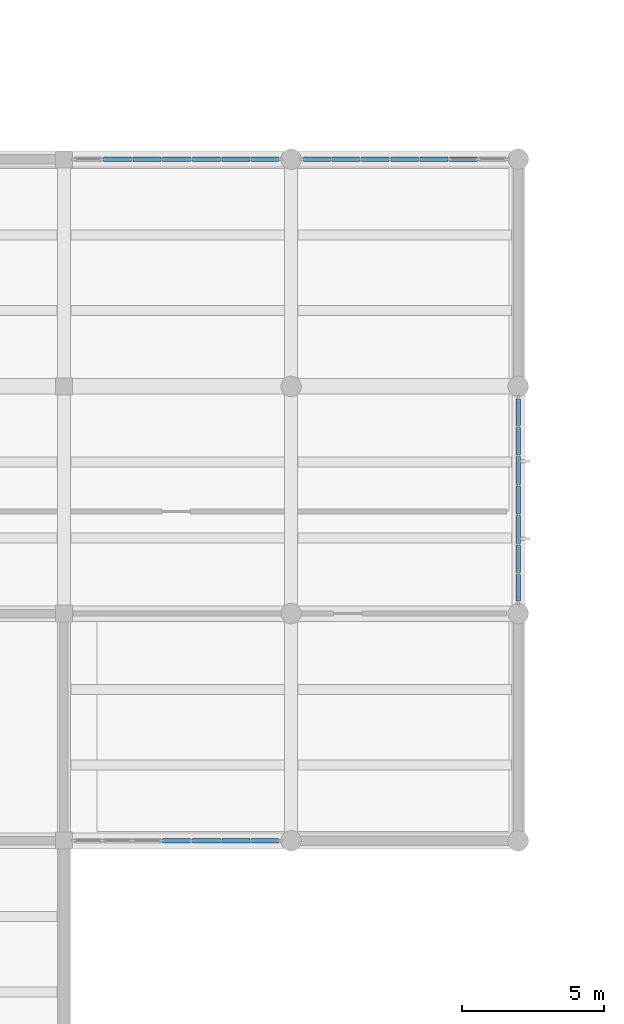
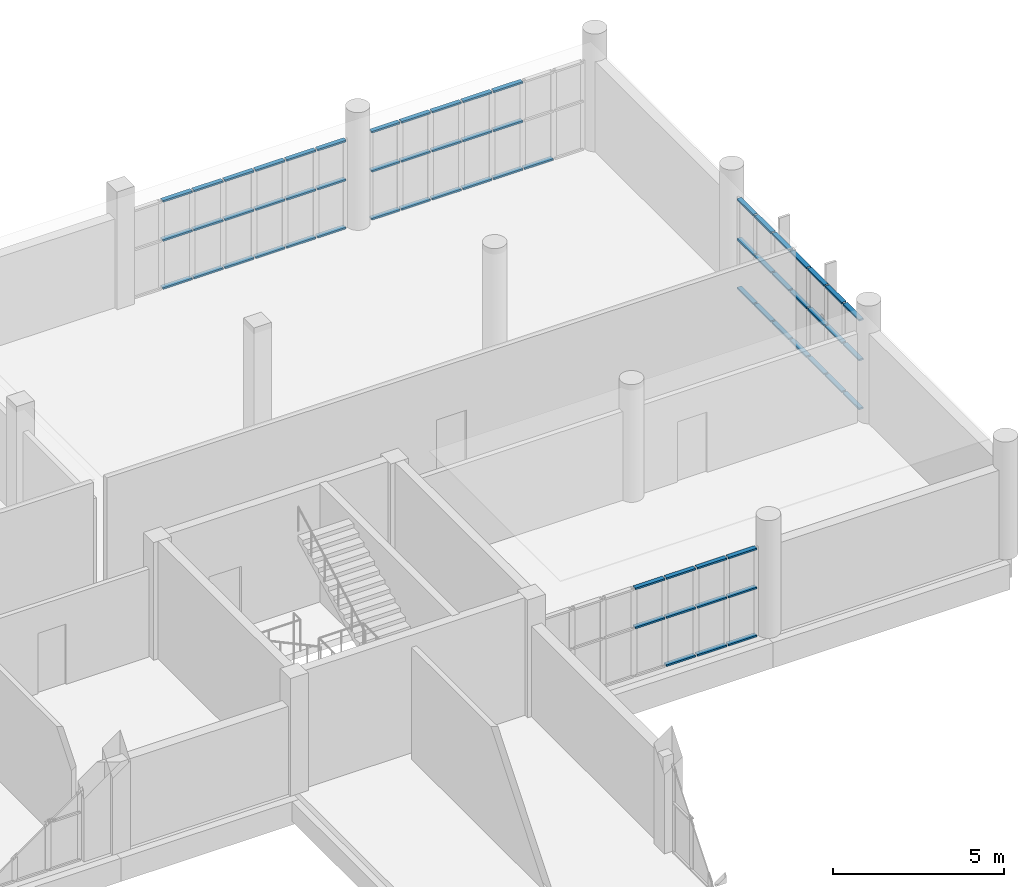
# One storey, part 42 of 85: 66 members, 4 elements without a shape of their own.
"""IFC4 building model written with IfcOpenShell, lengths in metres."""

from ifc_helpers import new_model, si_unit, direction, frame, origin, origin_2d, place, context, subcontext, project, spatial, rectangle, extrude, material, layer, layer_set, material_profile, profile_set, type_object, element, aggregate, save


model = new_model("IFC4")

# Units and contexts
model_context = context("Model", 3, precision=1e-05, world=origin(), true_north=direction((0.0, 1.0)))
body_context = subcontext(model_context, "Body", "Model", "MODEL_VIEW")
ifc_project = project(units=[si_unit("LENGTHUNIT", "METRE"), si_unit("AREAUNIT", "SQUARE_METRE"), si_unit("VOLUMEUNIT", "CUBIC_METRE"), si_unit("PLANEANGLEUNIT", "RADIAN"), si_unit("MASSUNIT", "GRAM", prefix="KILO")], contexts=[model_context])

# Site, building, storey
site_placement = place(None, origin())
site = spatial("IfcSite", under=ifc_project, at=site_placement, CompositionType="ELEMENT")
building_placement = place(site_placement, origin())
building = spatial("IfcBuilding", under=site, at=building_placement, Name="Solvane Community Centre", CompositionType="ELEMENT")
storey_placement = place(building_placement, frame((0.0, 0.0, 5.39990234375)))
storey = spatial("IfcBuildingStorey", under=building, at=storey_placement, Name="L01", CompositionType="ELEMENT", Elevation=5.39990234375)

# Curtain wall, members
ifc_material = material(Name="Anodised bronze aluminium AW-6063 T6", Category="aluminium")
ifc_layer_1 = layer(ifc_material, 0.18994140625)
ifc_layer_set_1 = layer_set([ifc_layer_1], Name="Anodised bronze aluminium AW-6063 T6")
curtain_wall_type_1 = type_object("IfcCurtainWallType", Name="Boulevard Bronze Vision Curtain Wall [73x32dm]", PredefinedType="NOTDEFINED", material=ifc_layer_set_1)
curtain_wall_1_placement = place(storey_placement, origin())
curtain_wall_1 = element("IfcCurtainWall", 1, at=curtain_wall_1_placement, inside=storey, type_object=curtain_wall_type_1, Name="Curtain Wall CW-L01-683_1100-092", PredefinedType="NOTDEFINED")
ifc_material_profile = material_profile(ifc_material, rectangle(XDim=0.14990234375, YDim=0.06005859375, at=origin_2d()), Name="CW-T 60x150")
ifc_profile_set = profile_set([ifc_material_profile], Name="Anodised bronze aluminium AW-6063 T6")
member_type = type_object("IfcMemberType", Name="Boulevard Transom 60x150", PredefinedType="USERDEFINED", material=ifc_profile_set)
member_1_placement = place(storey_placement, frame((69.389404296875, 110.0, 0.030029296875), z_axis=(1.0, 0.0, 0.0), x_axis=(0.0, 1.0, 0.0)))
member_1 = element("IfcMember", 2, at=member_1_placement, type_object=member_type, Name="CW02-73x32 transom 2.1", ObjectType="TRANSOM", PredefinedType="USERDEFINED", context=body_context, shape_type="SweptSolid", body=[
    extrude(rectangle(XDim=0.14990234375, YDim=0.06005859375, at=origin_2d()), origin(), (0.0, 0.0, 1.0), 0.984130859375),
])
member_2_placement = place(storey_placement, frame((69.389404296875, 110.0, 1.7412109375), z_axis=(1.0, 0.0, 0.0), x_axis=(0.0, 1.0, 0.0)))
member_2 = element("IfcMember", 3, at=member_2_placement, type_object=member_type, Name="CW02-73x32 transom 2.2", ObjectType="TRANSOM", PredefinedType="USERDEFINED", context=body_context, shape_type="SweptSolid", body=[
    extrude(rectangle(XDim=0.14990234375, YDim=0.06005859375, at=origin_2d()), origin(), (0.0, 0.0, 1.0), 0.984130859375),
])
member_3_placement = place(storey_placement, frame((69.389404296875, 110.0, 3.135009765625), z_axis=(1.0, 0.0, 0.0), x_axis=(0.0, 1.0, 0.0)))
member_3 = element("IfcMember", 4, at=member_3_placement, type_object=member_type, Name="CW02-73x32 transom 2.3", ObjectType="TRANSOM", PredefinedType="USERDEFINED", context=body_context, shape_type="SweptSolid", body=[
    extrude(rectangle(XDim=0.14990234375, YDim=0.06005859375, at=origin_2d()), origin(), (0.0, 0.0, 1.0), 0.984130859375),
])
member_4_placement = place(storey_placement, frame((70.43359375, 110.0, 0.030029296875), z_axis=(1.0, 0.0, 0.0), x_axis=(0.0, 1.0, 0.0)))
member_4 = element("IfcMember", 5, at=member_4_placement, type_object=member_type, Name="CW02-73x32 transom 3.1", ObjectType="TRANSOM", PredefinedType="USERDEFINED", context=body_context, shape_type="SweptSolid", body=[
    extrude(rectangle(XDim=0.14990234375, YDim=0.06005859375, at=origin_2d()), origin(), (0.0, 0.0, 1.0), 0.984375),
])
member_5_placement = place(storey_placement, frame((70.43359375, 110.0, 1.7412109375), z_axis=(1.0, 0.0, 0.0), x_axis=(0.0, 1.0, 0.0)))
member_5 = element("IfcMember", 6, at=member_5_placement, type_object=member_type, Name="CW02-73x32 transom 3.2", ObjectType="TRANSOM", PredefinedType="USERDEFINED", context=body_context, shape_type="SweptSolid", body=[
    extrude(rectangle(XDim=0.14990234375, YDim=0.06005859375, at=origin_2d()), origin(), (0.0, 0.0, 1.0), 0.984375),
])
member_6_placement = place(storey_placement, frame((70.43359375, 110.0, 3.135009765625), z_axis=(1.0, 0.0, 0.0), x_axis=(0.0, 1.0, 0.0)))
member_6 = element("IfcMember", 7, at=member_6_placement, type_object=member_type, Name="CW02-73x32 transom 3.3", ObjectType="TRANSOM", PredefinedType="USERDEFINED", context=body_context, shape_type="SweptSolid", body=[
    extrude(rectangle(XDim=0.14990234375, YDim=0.06005859375, at=origin_2d()), origin(), (0.0, 0.0, 1.0), 0.984375),
])
member_7_placement = place(storey_placement, frame((71.477783203125, 110.0, 0.030029296875), z_axis=(1.0, 0.0, 0.0), x_axis=(0.0, 1.0, 0.0)))
member_7 = element("IfcMember", 8, at=member_7_placement, type_object=member_type, Name="CW02-73x32 transom 4.1", ObjectType="TRANSOM", PredefinedType="USERDEFINED", context=body_context, shape_type="SweptSolid", body=[
    extrude(rectangle(XDim=0.14990234375, YDim=0.06005859375, at=origin_2d()), origin(), (0.0, 0.0, 1.0), 0.984375),
])
member_8_placement = place(storey_placement, frame((71.477783203125, 110.0, 1.7412109375), z_axis=(1.0, 0.0, 0.0), x_axis=(0.0, 1.0, 0.0)))
member_8 = element("IfcMember", 9, at=member_8_placement, type_object=member_type, Name="CW02-73x32 transom 4.2", ObjectType="TRANSOM", PredefinedType="USERDEFINED", context=body_context, shape_type="SweptSolid", body=[
    extrude(rectangle(XDim=0.14990234375, YDim=0.06005859375, at=origin_2d()), origin(), (0.0, 0.0, 1.0), 0.984375),
])
member_9_placement = place(storey_placement, frame((71.477783203125, 110.0, 3.135009765625), z_axis=(1.0, 0.0, 0.0), x_axis=(0.0, 1.0, 0.0)))
member_9 = element("IfcMember", 10, at=member_9_placement, type_object=member_type, Name="CW02-73x32 transom 4.3", ObjectType="TRANSOM", PredefinedType="USERDEFINED", context=body_context, shape_type="SweptSolid", body=[
    extrude(rectangle(XDim=0.14990234375, YDim=0.06005859375, at=origin_2d()), origin(), (0.0, 0.0, 1.0), 0.984375),
])
member_10_placement = place(storey_placement, frame((72.522216796875, 110.0, 0.030029296875), z_axis=(1.0, 0.0, 0.0), x_axis=(0.0, 1.0, 0.0)))
member_10 = element("IfcMember", 11, at=member_10_placement, type_object=member_type, Name="CW02-73x32 transom 5.1", ObjectType="TRANSOM", PredefinedType="USERDEFINED", context=body_context, shape_type="SweptSolid", body=[
    extrude(rectangle(XDim=0.14990234375, YDim=0.06005859375, at=origin_2d()), origin(), (0.0, 0.0, 1.0), 0.984130859375),
])
member_11_placement = place(storey_placement, frame((72.522216796875, 110.0, 1.7412109375), z_axis=(1.0, 0.0, 0.0), x_axis=(0.0, 1.0, 0.0)))
member_11 = element("IfcMember", 12, at=member_11_placement, type_object=member_type, Name="CW02-73x32 transom 5.2", ObjectType="TRANSOM", PredefinedType="USERDEFINED", context=body_context, shape_type="SweptSolid", body=[
    extrude(rectangle(XDim=0.14990234375, YDim=0.06005859375, at=origin_2d()), origin(), (0.0, 0.0, 1.0), 0.984130859375),
])
member_12_placement = place(storey_placement, frame((72.522216796875, 110.0, 3.135009765625), z_axis=(1.0, 0.0, 0.0), x_axis=(0.0, 1.0, 0.0)))
member_12 = element("IfcMember", 13, at=member_12_placement, type_object=member_type, Name="CW02-73x32 transom 5.3", ObjectType="TRANSOM", PredefinedType="USERDEFINED", context=body_context, shape_type="SweptSolid", body=[
    extrude(rectangle(XDim=0.14990234375, YDim=0.06005859375, at=origin_2d()), origin(), (0.0, 0.0, 1.0), 0.984130859375),
])
member_13_placement = place(storey_placement, frame((73.56640625, 110.0, 0.030029296875), z_axis=(1.0, 0.0, 0.0), x_axis=(0.0, 1.0, 0.0)))
member_13 = element("IfcMember", 14, at=member_13_placement, type_object=member_type, Name="CW02-73x32 transom 6.1", ObjectType="TRANSOM", PredefinedType="USERDEFINED", context=body_context, shape_type="SweptSolid", body=[
    extrude(rectangle(XDim=0.14990234375, YDim=0.06005859375, at=origin_2d()), origin(), (0.0, 0.0, 1.0), 0.984375),
])
member_14_placement = place(storey_placement, frame((73.56640625, 110.0, 1.7412109375), z_axis=(1.0, 0.0, 0.0), x_axis=(0.0, 1.0, 0.0)))
member_14 = element("IfcMember", 15, at=member_14_placement, type_object=member_type, Name="CW02-73x32 transom 6.2", ObjectType="TRANSOM", PredefinedType="USERDEFINED", context=body_context, shape_type="SweptSolid", body=[
    extrude(rectangle(XDim=0.14990234375, YDim=0.06005859375, at=origin_2d()), origin(), (0.0, 0.0, 1.0), 0.984375),
])
member_15_placement = place(storey_placement, frame((73.56640625, 110.0, 3.135009765625), z_axis=(1.0, 0.0, 0.0), x_axis=(0.0, 1.0, 0.0)))
member_15 = element("IfcMember", 16, at=member_15_placement, type_object=member_type, Name="CW02-73x32 transom 6.3", ObjectType="TRANSOM", PredefinedType="USERDEFINED", context=body_context, shape_type="SweptSolid", body=[
    extrude(rectangle(XDim=0.14990234375, YDim=0.06005859375, at=origin_2d()), origin(), (0.0, 0.0, 1.0), 0.984375),
])
member_16_placement = place(storey_placement, frame((74.610595703125, 110.0, 0.030029296875), z_axis=(1.0, 0.0, 0.0), x_axis=(0.0, 1.0, 0.0)))
member_16 = element("IfcMember", 17, at=member_16_placement, type_object=member_type, Name="CW02-73x32 transom 7.1", ObjectType="TRANSOM", PredefinedType="USERDEFINED", context=body_context, shape_type="SweptSolid", body=[
    extrude(rectangle(XDim=0.14990234375, YDim=0.06005859375, at=origin_2d()), origin(), (0.0, 0.0, 1.0), 0.954345703125),
])
member_17_placement = place(storey_placement, frame((74.610595703125, 110.0, 1.7412109375), z_axis=(1.0, 0.0, 0.0), x_axis=(0.0, 1.0, 0.0)))
member_17 = element("IfcMember", 18, at=member_17_placement, type_object=member_type, Name="CW02-73x32 transom 7.2", ObjectType="TRANSOM", PredefinedType="USERDEFINED", context=body_context, shape_type="SweptSolid", body=[
    extrude(rectangle(XDim=0.14990234375, YDim=0.06005859375, at=origin_2d()), origin(), (0.0, 0.0, 1.0), 0.954345703125),
])
member_18_placement = place(storey_placement, frame((74.610595703125, 110.0, 3.135009765625), z_axis=(1.0, 0.0, 0.0), x_axis=(0.0, 1.0, 0.0)))
member_18 = element("IfcMember", 19, at=member_18_placement, type_object=member_type, Name="CW02-73x32 transom 7.3", ObjectType="TRANSOM", PredefinedType="USERDEFINED", context=body_context, shape_type="SweptSolid", body=[
    extrude(rectangle(XDim=0.14990234375, YDim=0.06005859375, at=origin_2d()), origin(), (0.0, 0.0, 1.0), 0.954345703125),
])
aggregate(curtain_wall_1, [member_1, member_2, member_3, member_4, member_5, member_6, member_7, member_8, member_9, member_10, member_11, member_12, member_13, member_14, member_15, member_16, member_17, member_18])

ifc_layer_2 = layer(ifc_material, 0.18994140625)
ifc_layer_set_2 = layer_set([ifc_layer_2], Name="Anodised bronze aluminium AW-6063 T6")
curtain_wall_type_2 = type_object("IfcCurtainWallType", Name="Boulevard Bronze Vision Curtain Wall [72x32dm]", PredefinedType="NOTDEFINED", material=ifc_layer_set_2)
curtain_wall_2_placement = place(storey_placement, origin())
curtain_wall_2 = element("IfcCurtainWall", 20, at=curtain_wall_2_placement, inside=storey, type_object=curtain_wall_type_2, Name="Curtain Wall CW-L01-764_1100-093", PredefinedType="NOTDEFINED")
member_19_placement = place(storey_placement, frame((76.43505859375, 110.0, 0.030029296875), z_axis=(1.0, 0.0, 0.0), x_axis=(0.0, 1.0, 0.0)))
member_19 = element("IfcMember", 21, at=member_19_placement, type_object=member_type, Name="CW02-72x32 transom 1.1", ObjectType="TRANSOM", PredefinedType="USERDEFINED", context=body_context, shape_type="SweptSolid", body=[
    extrude(rectangle(XDim=0.14990234375, YDim=0.06005859375, at=origin_2d()), origin(), (0.0, 0.0, 1.0), 0.945556640625),
])
member_20_placement = place(storey_placement, frame((76.43505859375, 110.0, 1.7412109375), z_axis=(1.0, 0.0, 0.0), x_axis=(0.0, 1.0, 0.0)))
member_20 = element("IfcMember", 22, at=member_20_placement, type_object=member_type, Name="CW02-72x32 transom 1.2", ObjectType="TRANSOM", PredefinedType="USERDEFINED", context=body_context, shape_type="SweptSolid", body=[
    extrude(rectangle(XDim=0.14990234375, YDim=0.06005859375, at=origin_2d()), origin(), (0.0, 0.0, 1.0), 0.945556640625),
])
member_21_placement = place(storey_placement, frame((76.43505859375, 110.0, 3.135009765625), z_axis=(1.0, 0.0, 0.0), x_axis=(0.0, 1.0, 0.0)))
member_21 = element("IfcMember", 23, at=member_21_placement, type_object=member_type, Name="CW02-72x32 transom 1.3", ObjectType="TRANSOM", PredefinedType="USERDEFINED", context=body_context, shape_type="SweptSolid", body=[
    extrude(rectangle(XDim=0.14990234375, YDim=0.06005859375, at=origin_2d()), origin(), (0.0, 0.0, 1.0), 0.945556640625),
])
member_22_placement = place(storey_placement, frame((77.440673828125, 110.0, 0.030029296875), z_axis=(1.0, 0.0, 0.0), x_axis=(0.0, 1.0, 0.0)))
member_22 = element("IfcMember", 24, at=member_22_placement, type_object=member_type, Name="CW02-72x32 transom 2.1", ObjectType="TRANSOM", PredefinedType="USERDEFINED", context=body_context, shape_type="SweptSolid", body=[
    extrude(rectangle(XDim=0.14990234375, YDim=0.06005859375, at=origin_2d()), origin(), (0.0, 0.0, 1.0), 0.975830078125),
])
member_23_placement = place(storey_placement, frame((77.440673828125, 110.0, 1.7412109375), z_axis=(1.0, 0.0, 0.0), x_axis=(0.0, 1.0, 0.0)))
member_23 = element("IfcMember", 25, at=member_23_placement, type_object=member_type, Name="CW02-72x32 transom 2.2", ObjectType="TRANSOM", PredefinedType="USERDEFINED", context=body_context, shape_type="SweptSolid", body=[
    extrude(rectangle(XDim=0.14990234375, YDim=0.06005859375, at=origin_2d()), origin(), (0.0, 0.0, 1.0), 0.975830078125),
])
member_24_placement = place(storey_placement, frame((77.440673828125, 110.0, 3.135009765625), z_axis=(1.0, 0.0, 0.0), x_axis=(0.0, 1.0, 0.0)))
member_24 = element("IfcMember", 26, at=member_24_placement, type_object=member_type, Name="CW02-72x32 transom 2.3", ObjectType="TRANSOM", PredefinedType="USERDEFINED", context=body_context, shape_type="SweptSolid", body=[
    extrude(rectangle(XDim=0.14990234375, YDim=0.06005859375, at=origin_2d()), origin(), (0.0, 0.0, 1.0), 0.975830078125),
])
member_25_placement = place(storey_placement, frame((78.476318359375, 110.0, 0.030029296875), z_axis=(1.0, 0.0, 0.0), x_axis=(0.0, 1.0, 0.0)))
member_25 = element("IfcMember", 27, at=member_25_placement, type_object=member_type, Name="CW02-72x32 transom 3.1", ObjectType="TRANSOM", PredefinedType="USERDEFINED", context=body_context, shape_type="SweptSolid", body=[
    extrude(rectangle(XDim=0.14990234375, YDim=0.06005859375, at=origin_2d()), origin(), (0.0, 0.0, 1.0), 0.975830078125),
])
member_26_placement = place(storey_placement, frame((78.476318359375, 110.0, 1.7412109375), z_axis=(1.0, 0.0, 0.0), x_axis=(0.0, 1.0, 0.0)))
member_26 = element("IfcMember", 28, at=member_26_placement, type_object=member_type, Name="CW02-72x32 transom 3.2", ObjectType="TRANSOM", PredefinedType="USERDEFINED", context=body_context, shape_type="SweptSolid", body=[
    extrude(rectangle(XDim=0.14990234375, YDim=0.06005859375, at=origin_2d()), origin(), (0.0, 0.0, 1.0), 0.975830078125),
])
member_27_placement = place(storey_placement, frame((78.476318359375, 110.0, 3.135009765625), z_axis=(1.0, 0.0, 0.0), x_axis=(0.0, 1.0, 0.0)))
member_27 = element("IfcMember", 29, at=member_27_placement, type_object=member_type, Name="CW02-72x32 transom 3.3", ObjectType="TRANSOM", PredefinedType="USERDEFINED", context=body_context, shape_type="SweptSolid", body=[
    extrude(rectangle(XDim=0.14990234375, YDim=0.06005859375, at=origin_2d()), origin(), (0.0, 0.0, 1.0), 0.975830078125),
])
member_28_placement = place(storey_placement, frame((79.51220703125, 110.0, 0.030029296875), z_axis=(1.0, 0.0, 0.0), x_axis=(0.0, 1.0, 0.0)))
member_28 = element("IfcMember", 30, at=member_28_placement, type_object=member_type, Name="CW02-72x32 transom 4.1", ObjectType="TRANSOM", PredefinedType="USERDEFINED", context=body_context, shape_type="SweptSolid", body=[
    extrude(rectangle(XDim=0.14990234375, YDim=0.06005859375, at=origin_2d()), origin(), (0.0, 0.0, 1.0), 0.9755859375),
])
member_29_placement = place(storey_placement, frame((79.51220703125, 110.0, 1.7412109375), z_axis=(1.0, 0.0, 0.0), x_axis=(0.0, 1.0, 0.0)))
member_29 = element("IfcMember", 31, at=member_29_placement, type_object=member_type, Name="CW02-72x32 transom 4.2", ObjectType="TRANSOM", PredefinedType="USERDEFINED", context=body_context, shape_type="SweptSolid", body=[
    extrude(rectangle(XDim=0.14990234375, YDim=0.06005859375, at=origin_2d()), origin(), (0.0, 0.0, 1.0), 0.9755859375),
])
member_30_placement = place(storey_placement, frame((79.51220703125, 110.0, 3.135009765625), z_axis=(1.0, 0.0, 0.0), x_axis=(0.0, 1.0, 0.0)))
member_30 = element("IfcMember", 32, at=member_30_placement, type_object=member_type, Name="CW02-72x32 transom 4.3", ObjectType="TRANSOM", PredefinedType="USERDEFINED", context=body_context, shape_type="SweptSolid", body=[
    extrude(rectangle(XDim=0.14990234375, YDim=0.06005859375, at=origin_2d()), origin(), (0.0, 0.0, 1.0), 0.9755859375),
])
member_31_placement = place(storey_placement, frame((80.5478515625, 110.0, 0.030029296875), z_axis=(1.0, 0.0, 0.0), x_axis=(0.0, 1.0, 0.0)))
member_31 = element("IfcMember", 33, at=member_31_placement, type_object=member_type, Name="CW02-72x32 transom 5.1", ObjectType="TRANSOM", PredefinedType="USERDEFINED", context=body_context, shape_type="SweptSolid", body=[
    extrude(rectangle(XDim=0.14990234375, YDim=0.06005859375, at=origin_2d()), origin(), (0.0, 0.0, 1.0), 0.975830078125),
])
member_32_placement = place(storey_placement, frame((80.5478515625, 110.0, 1.7412109375), z_axis=(1.0, 0.0, 0.0), x_axis=(0.0, 1.0, 0.0)))
member_32 = element("IfcMember", 34, at=member_32_placement, type_object=member_type, Name="CW02-72x32 transom 5.2", ObjectType="TRANSOM", PredefinedType="USERDEFINED", context=body_context, shape_type="SweptSolid", body=[
    extrude(rectangle(XDim=0.14990234375, YDim=0.06005859375, at=origin_2d()), origin(), (0.0, 0.0, 1.0), 0.975830078125),
])
member_33_placement = place(storey_placement, frame((80.5478515625, 110.0, 3.135009765625), z_axis=(1.0, 0.0, 0.0), x_axis=(0.0, 1.0, 0.0)))
member_33 = element("IfcMember", 35, at=member_33_placement, type_object=member_type, Name="CW02-72x32 transom 5.3", ObjectType="TRANSOM", PredefinedType="USERDEFINED", context=body_context, shape_type="SweptSolid", body=[
    extrude(rectangle(XDim=0.14990234375, YDim=0.06005859375, at=origin_2d()), origin(), (0.0, 0.0, 1.0), 0.975830078125),
])
member_34_placement = place(storey_placement, frame((81.58349609375, 110.0, 0.030029296875), z_axis=(1.0, 0.0, 0.0), x_axis=(0.0, 1.0, 0.0)))
member_34 = element("IfcMember", 36, at=member_34_placement, type_object=member_type, Name="CW02-72x32 transom 6.1", ObjectType="TRANSOM", PredefinedType="USERDEFINED", context=body_context, shape_type="SweptSolid", body=[
    extrude(rectangle(XDim=0.14990234375, YDim=0.06005859375, at=origin_2d()), origin(), (0.0, 0.0, 1.0), 0.975830078125),
])
aggregate(curtain_wall_2, [member_19, member_20, member_21, member_22, member_23, member_24, member_25, member_26, member_27, member_28, member_29, member_30, member_31, member_32, member_33, member_34])

curtain_wall_3_placement = place(storey_placement, origin())
curtain_wall_3 = element("IfcCurtainWall", 37, at=curtain_wall_3_placement, inside=storey, type_object=curtain_wall_type_2, Name="Curtain Wall CW-L01-840_1016-094", PredefinedType="NOTDEFINED")
member_35_placement = place(storey_placement, frame((84.0, 101.56494140625, 0.030029296875), z_axis=(0.0, -1.0, 0.0), x_axis=(1.0, 0.0, 0.0)))
member_35 = element("IfcMember", 38, at=member_35_placement, type_object=member_type, Name="CW02-72x32 transom 1.1", ObjectType="TRANSOM", PredefinedType="USERDEFINED", context=body_context, shape_type="SweptSolid", body=[
    extrude(rectangle(XDim=0.14990234375, YDim=0.06005859375, at=origin_2d()), origin(), (0.0, 0.0, 1.0), 0.945556640625),
])
member_36_placement = place(storey_placement, frame((84.0, 101.56494140625, 1.774169921875), z_axis=(0.0, -1.0, 0.0), x_axis=(1.0, 0.0, 0.0)))
member_36 = element("IfcMember", 39, at=member_36_placement, type_object=member_type, Name="CW02-72x32 transom 1.2", ObjectType="TRANSOM", PredefinedType="USERDEFINED", context=body_context, shape_type="SweptSolid", body=[
    extrude(rectangle(XDim=0.14990234375, YDim=0.06005859375, at=origin_2d()), origin(), (0.0, 0.0, 1.0), 0.945556640625),
])
member_37_placement = place(storey_placement, frame((84.0, 101.56494140625, 3.195068359375), z_axis=(0.0, -1.0, 0.0), x_axis=(1.0, 0.0, 0.0)))
member_37 = element("IfcMember", 40, at=member_37_placement, type_object=member_type, Name="CW02-72x32 transom 1.3", ObjectType="TRANSOM", PredefinedType="USERDEFINED", context=body_context, shape_type="SweptSolid", body=[
    extrude(rectangle(XDim=0.14990234375, YDim=0.06005859375, at=origin_2d()), origin(), (0.0, 0.0, 1.0), 0.945556640625),
])
member_38_placement = place(storey_placement, frame((84.0, 100.559326171875, 0.030029296875), z_axis=(0.0, -1.0, 0.0), x_axis=(1.0, 0.0, 0.0)))
member_38 = element("IfcMember", 41, at=member_38_placement, type_object=member_type, Name="CW02-72x32 transom 2.1", ObjectType="TRANSOM", PredefinedType="USERDEFINED", context=body_context, shape_type="SweptSolid", body=[
    extrude(rectangle(XDim=0.14990234375, YDim=0.06005859375, at=origin_2d()), origin(), (0.0, 0.0, 1.0), 0.975830078125),
])
member_39_placement = place(storey_placement, frame((84.0, 100.559326171875, 1.774169921875), z_axis=(0.0, -1.0, 0.0), x_axis=(1.0, 0.0, 0.0)))
member_39 = element("IfcMember", 42, at=member_39_placement, type_object=member_type, Name="CW02-72x32 transom 2.2", ObjectType="TRANSOM", PredefinedType="USERDEFINED", context=body_context, shape_type="SweptSolid", body=[
    extrude(rectangle(XDim=0.14990234375, YDim=0.06005859375, at=origin_2d()), origin(), (0.0, 0.0, 1.0), 0.975830078125),
])
member_40_placement = place(storey_placement, frame((84.0, 100.559326171875, 3.195068359375), z_axis=(0.0, -1.0, 0.0), x_axis=(1.0, 0.0, 0.0)))
member_40 = element("IfcMember", 43, at=member_40_placement, type_object=member_type, Name="CW02-72x32 transom 2.3", ObjectType="TRANSOM", PredefinedType="USERDEFINED", context=body_context, shape_type="SweptSolid", body=[
    extrude(rectangle(XDim=0.14990234375, YDim=0.06005859375, at=origin_2d()), origin(), (0.0, 0.0, 1.0), 0.975830078125),
])
member_41_placement = place(storey_placement, frame((84.0, 99.523681640625, 0.030029296875), z_axis=(0.0, -1.0, 0.0), x_axis=(1.0, 0.0, 0.0)))
member_41 = element("IfcMember", 44, at=member_41_placement, type_object=member_type, Name="CW02-72x32 transom 3.1", ObjectType="TRANSOM", PredefinedType="USERDEFINED", context=body_context, shape_type="SweptSolid", body=[
    extrude(rectangle(XDim=0.14990234375, YDim=0.06005859375, at=origin_2d()), origin(), (0.0, 0.0, 1.0), 0.975830078125),
])
member_42_placement = place(storey_placement, frame((84.0, 99.523681640625, 1.774169921875), z_axis=(0.0, -1.0, 0.0), x_axis=(1.0, 0.0, 0.0)))
member_42 = element("IfcMember", 45, at=member_42_placement, type_object=member_type, Name="CW02-72x32 transom 3.2", ObjectType="TRANSOM", PredefinedType="USERDEFINED", context=body_context, shape_type="SweptSolid", body=[
    extrude(rectangle(XDim=0.14990234375, YDim=0.06005859375, at=origin_2d()), origin(), (0.0, 0.0, 1.0), 0.975830078125),
])
member_43_placement = place(storey_placement, frame((84.0, 99.523681640625, 3.195068359375), z_axis=(0.0, -1.0, 0.0), x_axis=(1.0, 0.0, 0.0)))
member_43 = element("IfcMember", 46, at=member_43_placement, type_object=member_type, Name="CW02-72x32 transom 3.3", ObjectType="TRANSOM", PredefinedType="USERDEFINED", context=body_context, shape_type="SweptSolid", body=[
    extrude(rectangle(XDim=0.14990234375, YDim=0.06005859375, at=origin_2d()), origin(), (0.0, 0.0, 1.0), 0.975830078125),
])
member_44_placement = place(storey_placement, frame((84.0, 98.48779296875, 0.030029296875), z_axis=(0.0, -1.0, 0.0), x_axis=(1.0, 0.0, 0.0)))
member_44 = element("IfcMember", 47, at=member_44_placement, type_object=member_type, Name="CW02-72x32 transom 4.1", ObjectType="TRANSOM", PredefinedType="USERDEFINED", context=body_context, shape_type="SweptSolid", body=[
    extrude(rectangle(XDim=0.14990234375, YDim=0.06005859375, at=origin_2d()), origin(), (0.0, 0.0, 1.0), 0.9755859375),
])
member_45_placement = place(storey_placement, frame((84.0, 98.48779296875, 1.774169921875), z_axis=(0.0, -1.0, 0.0), x_axis=(1.0, 0.0, 0.0)))
member_45 = element("IfcMember", 48, at=member_45_placement, type_object=member_type, Name="CW02-72x32 transom 4.2", ObjectType="TRANSOM", PredefinedType="USERDEFINED", context=body_context, shape_type="SweptSolid", body=[
    extrude(rectangle(XDim=0.14990234375, YDim=0.06005859375, at=origin_2d()), origin(), (0.0, 0.0, 1.0), 0.9755859375),
])
member_46_placement = place(storey_placement, frame((84.0, 98.48779296875, 3.195068359375), z_axis=(0.0, -1.0, 0.0), x_axis=(1.0, 0.0, 0.0)))
member_46 = element("IfcMember", 49, at=member_46_placement, type_object=member_type, Name="CW02-72x32 transom 4.3", ObjectType="TRANSOM", PredefinedType="USERDEFINED", context=body_context, shape_type="SweptSolid", body=[
    extrude(rectangle(XDim=0.14990234375, YDim=0.06005859375, at=origin_2d()), origin(), (0.0, 0.0, 1.0), 0.9755859375),
])
member_47_placement = place(storey_placement, frame((84.0, 97.4521484375, 0.030029296875), z_axis=(0.0, -1.0, 0.0), x_axis=(1.0, 0.0, 0.0)))
member_47 = element("IfcMember", 50, at=member_47_placement, type_object=member_type, Name="CW02-72x32 transom 5.1", ObjectType="TRANSOM", PredefinedType="USERDEFINED", context=body_context, shape_type="SweptSolid", body=[
    extrude(rectangle(XDim=0.14990234375, YDim=0.06005859375, at=origin_2d()), origin(), (0.0, 0.0, 1.0), 0.975830078125),
])
member_48_placement = place(storey_placement, frame((84.0, 97.4521484375, 1.774169921875), z_axis=(0.0, -1.0, 0.0), x_axis=(1.0, 0.0, 0.0)))
member_48 = element("IfcMember", 51, at=member_48_placement, type_object=member_type, Name="CW02-72x32 transom 5.2", ObjectType="TRANSOM", PredefinedType="USERDEFINED", context=body_context, shape_type="SweptSolid", body=[
    extrude(rectangle(XDim=0.14990234375, YDim=0.06005859375, at=origin_2d()), origin(), (0.0, 0.0, 1.0), 0.975830078125),
])
member_49_placement = place(storey_placement, frame((84.0, 97.4521484375, 3.195068359375), z_axis=(0.0, -1.0, 0.0), x_axis=(1.0, 0.0, 0.0)))
member_49 = element("IfcMember", 52, at=member_49_placement, type_object=member_type, Name="CW02-72x32 transom 5.3", ObjectType="TRANSOM", PredefinedType="USERDEFINED", context=body_context, shape_type="SweptSolid", body=[
    extrude(rectangle(XDim=0.14990234375, YDim=0.06005859375, at=origin_2d()), origin(), (0.0, 0.0, 1.0), 0.975830078125),
])
member_50_placement = place(storey_placement, frame((84.0, 96.41650390625, 0.030029296875), z_axis=(0.0, -1.0, 0.0), x_axis=(1.0, 0.0, 0.0)))
member_50 = element("IfcMember", 53, at=member_50_placement, type_object=member_type, Name="CW02-72x32 transom 6.1", ObjectType="TRANSOM", PredefinedType="USERDEFINED", context=body_context, shape_type="SweptSolid", body=[
    extrude(rectangle(XDim=0.14990234375, YDim=0.06005859375, at=origin_2d()), origin(), (0.0, 0.0, 1.0), 0.975830078125),
])
member_51_placement = place(storey_placement, frame((84.0, 96.41650390625, 1.774169921875), z_axis=(0.0, -1.0, 0.0), x_axis=(1.0, 0.0, 0.0)))
member_51 = element("IfcMember", 54, at=member_51_placement, type_object=member_type, Name="CW02-72x32 transom 6.2", ObjectType="TRANSOM", PredefinedType="USERDEFINED", context=body_context, shape_type="SweptSolid", body=[
    extrude(rectangle(XDim=0.14990234375, YDim=0.06005859375, at=origin_2d()), origin(), (0.0, 0.0, 1.0), 0.975830078125),
])
member_52_placement = place(storey_placement, frame((84.0, 96.41650390625, 3.195068359375), z_axis=(0.0, -1.0, 0.0), x_axis=(1.0, 0.0, 0.0)))
member_52 = element("IfcMember", 55, at=member_52_placement, type_object=member_type, Name="CW02-72x32 transom 6.3", ObjectType="TRANSOM", PredefinedType="USERDEFINED", context=body_context, shape_type="SweptSolid", body=[
    extrude(rectangle(XDim=0.14990234375, YDim=0.06005859375, at=origin_2d()), origin(), (0.0, 0.0, 1.0), 0.975830078125),
])
member_53_placement = place(storey_placement, frame((84.0, 95.380615234375, 0.030029296875), z_axis=(0.0, -1.0, 0.0), x_axis=(1.0, 0.0, 0.0)))
member_53 = element("IfcMember", 56, at=member_53_placement, type_object=member_type, Name="CW02-72x32 transom 7.1", ObjectType="TRANSOM", PredefinedType="USERDEFINED", context=body_context, shape_type="SweptSolid", body=[
    extrude(rectangle(XDim=0.14990234375, YDim=0.06005859375, at=origin_2d()), origin(), (0.0, 0.0, 1.0), 0.945556640625),
])
member_54_placement = place(storey_placement, frame((84.0, 95.380615234375, 1.774169921875), z_axis=(0.0, -1.0, 0.0), x_axis=(1.0, 0.0, 0.0)))
member_54 = element("IfcMember", 57, at=member_54_placement, type_object=member_type, Name="CW02-72x32 transom 7.2", ObjectType="TRANSOM", PredefinedType="USERDEFINED", context=body_context, shape_type="SweptSolid", body=[
    extrude(rectangle(XDim=0.14990234375, YDim=0.06005859375, at=origin_2d()), origin(), (0.0, 0.0, 1.0), 0.945556640625),
])
member_55_placement = place(storey_placement, frame((84.0, 95.380615234375, 3.195068359375), z_axis=(0.0, -1.0, 0.0), x_axis=(1.0, 0.0, 0.0)))
member_55 = element("IfcMember", 58, at=member_55_placement, type_object=member_type, Name="CW02-72x32 transom 7.3", ObjectType="TRANSOM", PredefinedType="USERDEFINED", context=body_context, shape_type="SweptSolid", body=[
    extrude(rectangle(XDim=0.14990234375, YDim=0.06005859375, at=origin_2d()), origin(), (0.0, 0.0, 1.0), 0.945556640625),
])
aggregate(curtain_wall_3, [member_35, member_36, member_37, member_38, member_39, member_40, member_41, member_42, member_43, member_44, member_45, member_46, member_47, member_48, member_49, member_50, member_51, member_52, member_53, member_54, member_55])

curtain_wall_4_placement = place(storey_placement, origin())
curtain_wall_4 = element("IfcCurtainWall", 59, at=curtain_wall_4_placement, inside=storey, type_object=curtain_wall_type_1, Name="Curtain Wall CW-L01-756_860-095", PredefinedType="NOTDEFINED")
member_56_placement = place(storey_placement, frame((75.56494140625, 86.0, 0.030029296875), z_axis=(-1.0, 0.0, 0.0), x_axis=(0.0, -1.0, 0.0)))
member_56 = element("IfcMember", 60, at=member_56_placement, type_object=member_type, Name="CW02-73x32 transom 1.1", ObjectType="TRANSOM", PredefinedType="USERDEFINED", context=body_context, shape_type="SweptSolid", body=[
    extrude(rectangle(XDim=0.14990234375, YDim=0.06005859375, at=origin_2d()), origin(), (0.0, 0.0, 1.0), 0.954345703125),
])
member_57_placement = place(storey_placement, frame((75.56494140625, 86.0, 1.7412109375), z_axis=(-1.0, 0.0, 0.0), x_axis=(0.0, -1.0, 0.0)))
member_57 = element("IfcMember", 61, at=member_57_placement, type_object=member_type, Name="CW02-73x32 transom 1.2", ObjectType="TRANSOM", PredefinedType="USERDEFINED", context=body_context, shape_type="SweptSolid", body=[
    extrude(rectangle(XDim=0.14990234375, YDim=0.06005859375, at=origin_2d()), origin(), (0.0, 0.0, 1.0), 0.954345703125),
])
member_58_placement = place(storey_placement, frame((75.56494140625, 86.0, 3.135009765625), z_axis=(-1.0, 0.0, 0.0), x_axis=(0.0, -1.0, 0.0)))
member_58 = element("IfcMember", 62, at=member_58_placement, type_object=member_type, Name="CW02-73x32 transom 1.3", ObjectType="TRANSOM", PredefinedType="USERDEFINED", context=body_context, shape_type="SweptSolid", body=[
    extrude(rectangle(XDim=0.14990234375, YDim=0.06005859375, at=origin_2d()), origin(), (0.0, 0.0, 1.0), 0.954345703125),
])
member_59_placement = place(storey_placement, frame((74.55078125, 86.0, 0.030029296875), z_axis=(-1.0, 0.0, 0.0), x_axis=(0.0, -1.0, 0.0)))
member_59 = element("IfcMember", 63, at=member_59_placement, type_object=member_type, Name="CW02-73x32 transom 2.1", ObjectType="TRANSOM", PredefinedType="USERDEFINED", context=body_context, shape_type="SweptSolid", body=[
    extrude(rectangle(XDim=0.14990234375, YDim=0.06005859375, at=origin_2d()), origin(), (0.0, 0.0, 1.0), 0.984375),
])
member_60_placement = place(storey_placement, frame((74.55078125, 86.0, 1.7412109375), z_axis=(-1.0, 0.0, 0.0), x_axis=(0.0, -1.0, 0.0)))
member_60 = element("IfcMember", 64, at=member_60_placement, type_object=member_type, Name="CW02-73x32 transom 2.2", ObjectType="TRANSOM", PredefinedType="USERDEFINED", context=body_context, shape_type="SweptSolid", body=[
    extrude(rectangle(XDim=0.14990234375, YDim=0.06005859375, at=origin_2d()), origin(), (0.0, 0.0, 1.0), 0.984375),
])
member_61_placement = place(storey_placement, frame((74.55078125, 86.0, 3.135009765625), z_axis=(-1.0, 0.0, 0.0), x_axis=(0.0, -1.0, 0.0)))
member_61 = element("IfcMember", 65, at=member_61_placement, type_object=member_type, Name="CW02-73x32 transom 2.3", ObjectType="TRANSOM", PredefinedType="USERDEFINED", context=body_context, shape_type="SweptSolid", body=[
    extrude(rectangle(XDim=0.14990234375, YDim=0.06005859375, at=origin_2d()), origin(), (0.0, 0.0, 1.0), 0.984375),
])
member_62_placement = place(storey_placement, frame((73.50634765625, 86.0, 0.030029296875), z_axis=(-1.0, 0.0, 0.0), x_axis=(0.0, -1.0, 0.0)))
member_62 = element("IfcMember", 66, at=member_62_placement, type_object=member_type, Name="CW02-73x32 transom 3.1", ObjectType="TRANSOM", PredefinedType="USERDEFINED", context=body_context, shape_type="SweptSolid", body=[
    extrude(rectangle(XDim=0.14990234375, YDim=0.06005859375, at=origin_2d()), origin(), (0.0, 0.0, 1.0), 0.984130859375),
])
member_63_placement = place(storey_placement, frame((73.50634765625, 86.0, 1.7412109375), z_axis=(-1.0, 0.0, 0.0), x_axis=(0.0, -1.0, 0.0)))
member_63 = element("IfcMember", 67, at=member_63_placement, type_object=member_type, Name="CW02-73x32 transom 3.2", ObjectType="TRANSOM", PredefinedType="USERDEFINED", context=body_context, shape_type="SweptSolid", body=[
    extrude(rectangle(XDim=0.14990234375, YDim=0.06005859375, at=origin_2d()), origin(), (0.0, 0.0, 1.0), 0.984130859375),
])
member_64_placement = place(storey_placement, frame((73.50634765625, 86.0, 3.135009765625), z_axis=(-1.0, 0.0, 0.0), x_axis=(0.0, -1.0, 0.0)))
member_64 = element("IfcMember", 68, at=member_64_placement, type_object=member_type, Name="CW02-73x32 transom 3.3", ObjectType="TRANSOM", PredefinedType="USERDEFINED", context=body_context, shape_type="SweptSolid", body=[
    extrude(rectangle(XDim=0.14990234375, YDim=0.06005859375, at=origin_2d()), origin(), (0.0, 0.0, 1.0), 0.984130859375),
])
member_65_placement = place(storey_placement, frame((72.462158203125, 86.0, 1.7412109375), z_axis=(-1.0, 0.0, 0.0), x_axis=(0.0, -1.0, 0.0)))
member_65 = element("IfcMember", 69, at=member_65_placement, type_object=member_type, Name="CW02-73x32 transom 4.2", ObjectType="TRANSOM", PredefinedType="USERDEFINED", context=body_context, shape_type="SweptSolid", body=[
    extrude(rectangle(XDim=0.14990234375, YDim=0.06005859375, at=origin_2d()), origin(), (0.0, 0.0, 1.0), 0.984375),
])
member_66_placement = place(storey_placement, frame((72.462158203125, 86.0, 3.135009765625), z_axis=(-1.0, 0.0, 0.0), x_axis=(0.0, -1.0, 0.0)))
member_66 = element("IfcMember", 70, at=member_66_placement, type_object=member_type, Name="CW02-73x32 transom 4.3", ObjectType="TRANSOM", PredefinedType="USERDEFINED", context=body_context, shape_type="SweptSolid", body=[
    extrude(rectangle(XDim=0.14990234375, YDim=0.06005859375, at=origin_2d()), origin(), (0.0, 0.0, 1.0), 0.984375),
])
aggregate(curtain_wall_4, [member_56, member_57, member_58, member_59, member_60, member_61, member_62, member_63, member_64, member_65, member_66])

save(model, "model.ifc")
